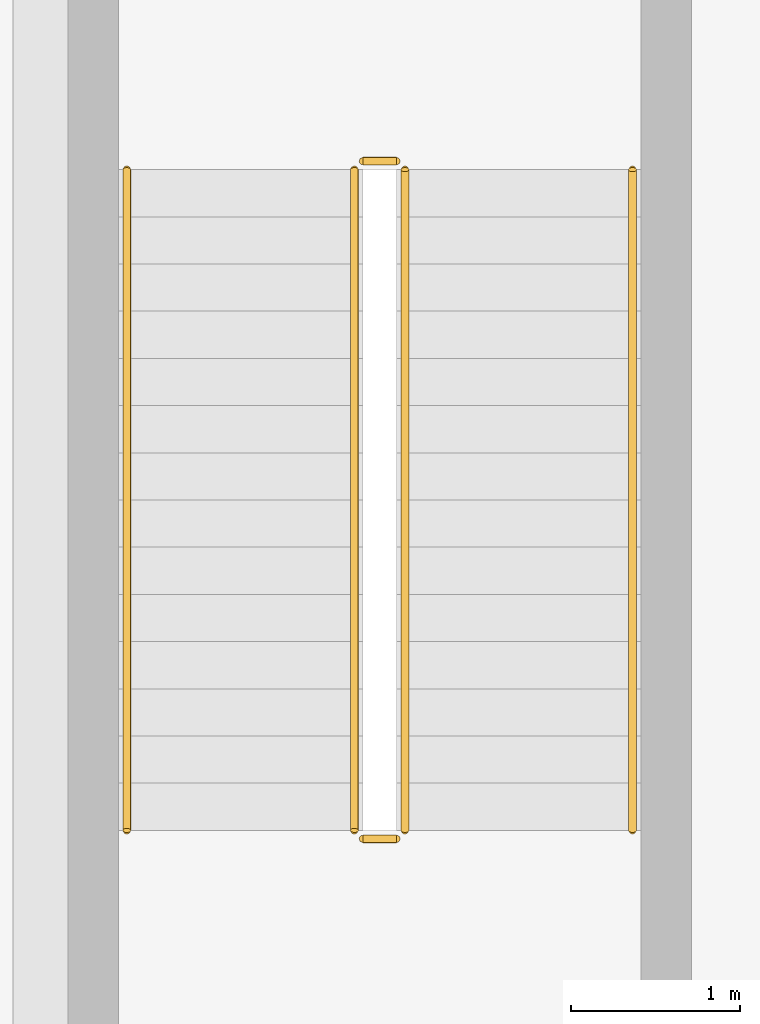
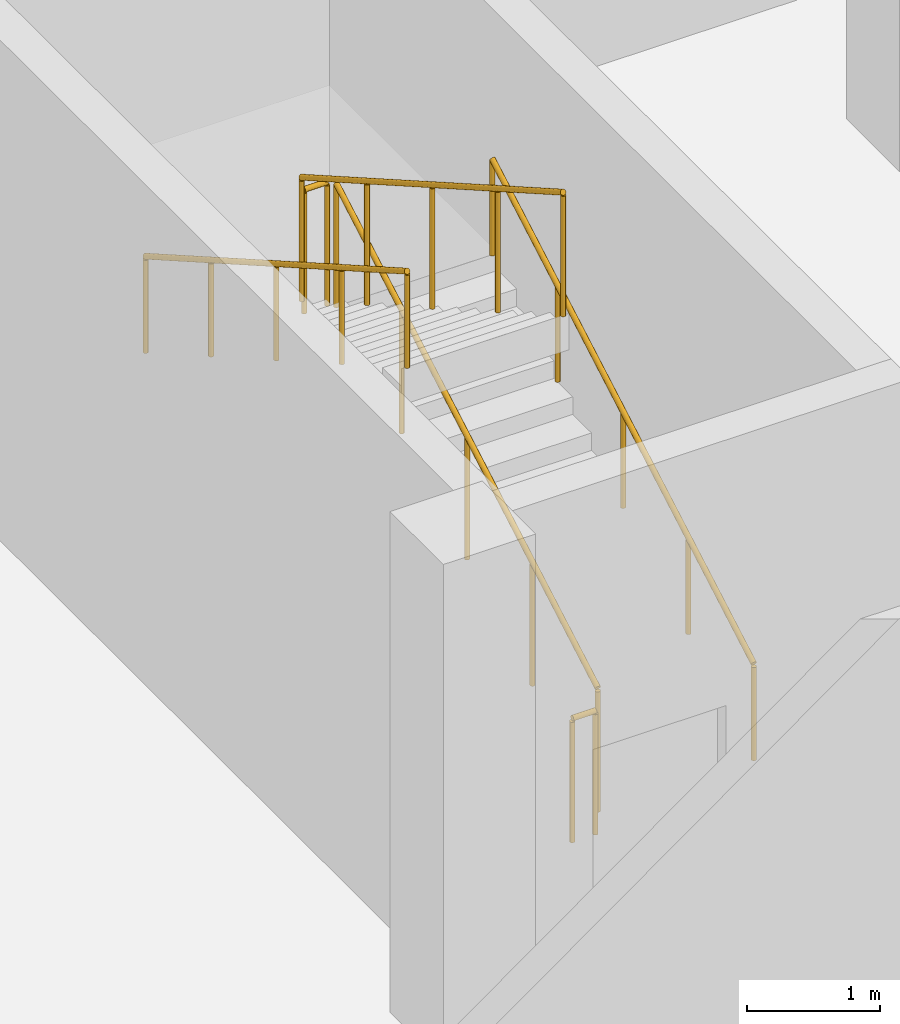
# One storey, part 29 of 31: 6 railings.
"""IFC4 building model written with IfcOpenShell, lengths in metres."""

from ifc_helpers import new_model, si_unit, direction, frame, origin, origin_2d, place, context, subcontext, project, spatial, circle, extrude, material, type_object, element, save


model = new_model("IFC4")

# Units and contexts
model_context = context("Model", 3, precision=1e-05, world=origin(), true_north=direction((0.0, 1.0)))
body_context = subcontext(model_context, "Body", "Model", "MODEL_VIEW")
ifc_project = project(units=[si_unit("LENGTHUNIT", "METRE"), si_unit("AREAUNIT", "SQUARE_METRE"), si_unit("VOLUMEUNIT", "CUBIC_METRE"), si_unit("PLANEANGLEUNIT", "RADIAN"), si_unit("MASSUNIT", "GRAM", prefix="KILO")], contexts=[model_context])

# Site, building, storey
site_placement = place(None, origin())
site = spatial("IfcSite", under=ifc_project, at=site_placement, CompositionType="ELEMENT")
building_placement = place(site_placement, origin())
building = spatial("IfcBuilding", under=site, at=building_placement, Name="Brinegate Botanical Conservatory", CompositionType="ELEMENT")
storey_placement = place(building_placement, frame((0.0, 0.0, 5.39990234375)))
storey = spatial("IfcBuildingStorey", under=building, at=storey_placement, Name="L02", CompositionType="ELEMENT", Elevation=5.39990234375)

# Railings
ifc_material_1 = material(Name="Structural steel Q355B / S355 painted tubular guardrail", Category="steel")
railing_type_1 = type_object("IfcRailingType", Name="Rail_ST-GRD", PredefinedType="GUARDRAIL", material=ifc_material_1)
railing_1_placement = place(storey_placement, frame((105.75, 96.89990234375, 0.16015625)))
element("IfcRailing", 1, at=railing_1_placement, inside=storey, type_object=railing_type_1, Name="L02 ST4 stair guard 1", PredefinedType="GUARDRAIL", context=body_context, shape_type="SweptSolid", body=[
    extrude(circle(Radius=0.02392578125, at=origin_2d()), frame((0.0, 0.0, 1.1259765625), z_axis=(0.0, 0.86825312469, 0.496121468458), x_axis=(-1.0, 0.0, 0.0)), (0.0, 0.0, 1.0), 4.514892578125),
    extrude(circle(Radius=0.02099609375, at=origin_2d()), origin(), (0.0, 0.0, 1.0), 1.101806640625),
    extrude(circle(Radius=0.02099609375, at=origin_2d()), frame((0.0, 0.97998046875, 0.56005859375)), (0.0, 0.0, 1.0), 1.101806640625),
    extrude(circle(Radius=0.02099609375, at=origin_2d()), frame((0.0, 1.9599609375, 1.1201171875)), (0.0, 0.0, 1.0), 1.101806640625),
    extrude(circle(Radius=0.02099609375, at=origin_2d()), frame((0.0, 2.940185546875, 1.679931640625)), (0.0, 0.0, 1.0), 1.101806640625),
    extrude(circle(Radius=0.02099609375, at=origin_2d()), frame((0.0, 3.920166015625, 2.239990234375)), (0.0, 0.0, 1.0), 1.101806640625),
])
railing_2_placement = place(storey_placement, frame((105.699951171875, 100.8701171875, 2.400146484375)))
element("IfcRailing", 2, at=railing_2_placement, inside=storey, type_object=railing_type_1, Name="L02 ST4 stair guard 2", PredefinedType="GUARDRAIL", context=body_context, shape_type="SweptSolid", body=[
    extrude(circle(Radius=0.02392578125, at=origin_2d()), frame((0.0, 0.0, 1.1259765625), z_axis=(-1.0, 0.0, 0.0), x_axis=(0.0, -1.0, 0.0)), (0.0, 0.0, 1.0), 0.199951171875),
    extrude(circle(Radius=0.02099609375, at=origin_2d()), origin(), (0.0, 0.0, 1.0), 1.101806640625),
    extrude(circle(Radius=0.02099609375, at=origin_2d()), frame((-0.199951171875, 0.0, 0.0)), (0.0, 0.0, 1.0), 1.101806640625),
])
railing_3_placement = place(storey_placement, frame((105.449951171875, 100.820068359375, 2.56005859375)))
element("IfcRailing", 3, at=railing_3_placement, inside=storey, type_object=railing_type_1, Name="L02 ST4 stair guard 3", PredefinedType="GUARDRAIL", context=body_context, shape_type="SweptSolid", body=[
    extrude(circle(Radius=0.02392578125, at=origin_2d()), frame((0.0, 0.0, 1.1259765625), z_axis=(0.0, -0.86825312469, 0.496121468458), x_axis=(1.0, 0.0, 0.0)), (0.0, 0.0, 1.0), 4.514892578125),
    extrude(circle(Radius=0.02099609375, at=origin_2d()), origin(), (0.0, 0.0, 1.0), 1.101806640625),
    extrude(circle(Radius=0.02099609375, at=origin_2d()), frame((0.0, -0.97998046875, 0.56005859375)), (0.0, 0.0, 1.0), 1.101806640625),
    extrude(circle(Radius=0.02099609375, at=origin_2d()), frame((0.0, -1.9599609375, 1.1201171875)), (0.0, 0.0, 1.0), 1.101806640625),
    extrude(circle(Radius=0.02099609375, at=origin_2d()), frame((0.0, -2.940185546875, 1.679931640625)), (0.0, 0.0, 1.0), 1.101806640625),
    extrude(circle(Radius=0.02099609375, at=origin_2d()), frame((0.0, -3.920166015625, 2.239990234375)), (0.0, 0.0, 1.0), 1.101806640625),
])
railing_4_placement = place(storey_placement, frame((105.699951171875, 96.85009765625, 0.0)))
element("IfcRailing", 4, at=railing_4_placement, inside=storey, type_object=railing_type_1, Name="L02 ST4 stair guard 4", PredefinedType="GUARDRAIL", context=body_context, shape_type="SweptSolid", body=[
    extrude(circle(Radius=0.02392578125, at=origin_2d()), frame((0.0, 0.0, 1.1259765625), z_axis=(-1.0, 0.0, 0.0), x_axis=(0.0, -1.0, 0.0)), (0.0, 0.0, 1.0), 0.199951171875),
    extrude(circle(Radius=0.02099609375, at=origin_2d()), origin(), (0.0, 0.0, 1.0), 1.101806640625),
    extrude(circle(Radius=0.02099609375, at=origin_2d()), frame((-0.199951171875, 0.0, 0.0)), (0.0, 0.0, 1.0), 1.101806640625),
])
ifc_material_2 = material(Name="Brushed stainless steel S355 handrail", Category="steel")
railing_type_2 = type_object("IfcRailingType", Name="Rail_ST-HND", PredefinedType="HANDRAIL", material=ifc_material_2)
railing_5_placement = place(storey_placement, frame((107.10009765625, 96.89990234375, 0.16015625)))
element("IfcRailing", 5, at=railing_5_placement, inside=storey, type_object=railing_type_2, Name="L02 ST4 stair handrail 1", PredefinedType="HANDRAIL", context=body_context, shape_type="SweptSolid", body=[
    extrude(circle(Radius=0.02392578125, at=origin_2d()), frame((0.0, 0.0, 0.8759765625), z_axis=(0.0, 0.86825312469, 0.496121468458), x_axis=(-1.0, 0.0, 0.0)), (0.0, 0.0, 1.0), 4.514892578125),
    extrude(circle(Radius=0.02099609375, at=origin_2d()), origin(), (0.0, 0.0, 1.0), 0.851806640625),
    extrude(circle(Radius=0.02099609375, at=origin_2d()), frame((0.0, 0.97998046875, 0.56005859375)), (0.0, 0.0, 1.0), 0.851806640625),
    extrude(circle(Radius=0.02099609375, at=origin_2d()), frame((0.0, 1.9599609375, 1.1201171875)), (0.0, 0.0, 1.0), 0.851806640625),
    extrude(circle(Radius=0.02099609375, at=origin_2d()), frame((0.0, 2.940185546875, 1.679931640625)), (0.0, 0.0, 1.0), 0.851806640625),
    extrude(circle(Radius=0.02099609375, at=origin_2d()), frame((0.0, 3.920166015625, 2.239990234375)), (0.0, 0.0, 1.0), 0.851806640625),
])
railing_6_placement = place(storey_placement, frame((104.10009765625, 100.820068359375, 2.56005859375)))
element("IfcRailing", 6, at=railing_6_placement, inside=storey, type_object=railing_type_2, Name="L02 ST4 stair handrail 2", PredefinedType="HANDRAIL", context=body_context, shape_type="SweptSolid", body=[
    extrude(circle(Radius=0.02392578125, at=origin_2d()), frame((0.0, 0.0, 0.8759765625), z_axis=(0.0, -0.86825312469, 0.496121468458), x_axis=(1.0, 0.0, 0.0)), (0.0, 0.0, 1.0), 4.514892578125),
    extrude(circle(Radius=0.02099609375, at=origin_2d()), origin(), (0.0, 0.0, 1.0), 0.851806640625),
    extrude(circle(Radius=0.02099609375, at=origin_2d()), frame((0.0, -0.97998046875, 0.56005859375)), (0.0, 0.0, 1.0), 0.851806640625),
    extrude(circle(Radius=0.02099609375, at=origin_2d()), frame((0.0, -1.9599609375, 1.1201171875)), (0.0, 0.0, 1.0), 0.851806640625),
    extrude(circle(Radius=0.02099609375, at=origin_2d()), frame((0.0, -2.940185546875, 1.679931640625)), (0.0, 0.0, 1.0), 0.851806640625),
    extrude(circle(Radius=0.02099609375, at=origin_2d()), frame((0.0, -3.920166015625, 2.239990234375)), (0.0, 0.0, 1.0), 0.851806640625),
])

save(model, "model.ifc")
